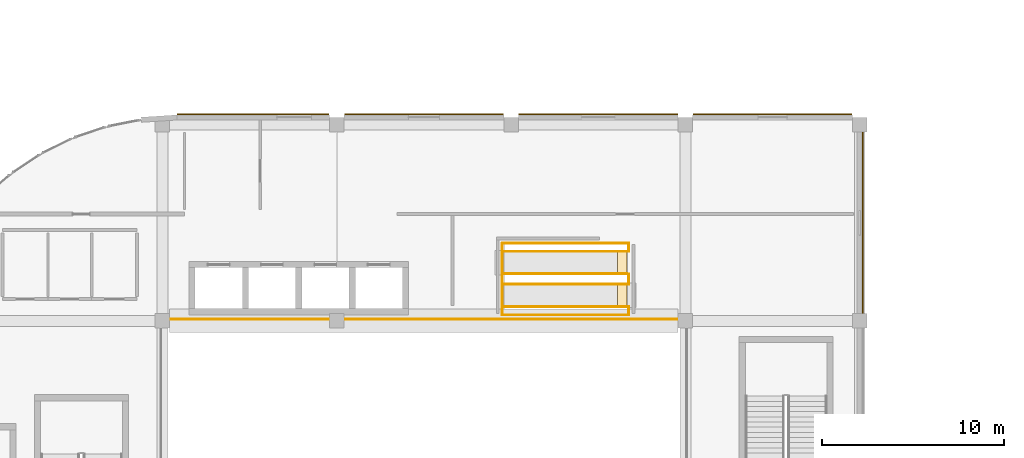
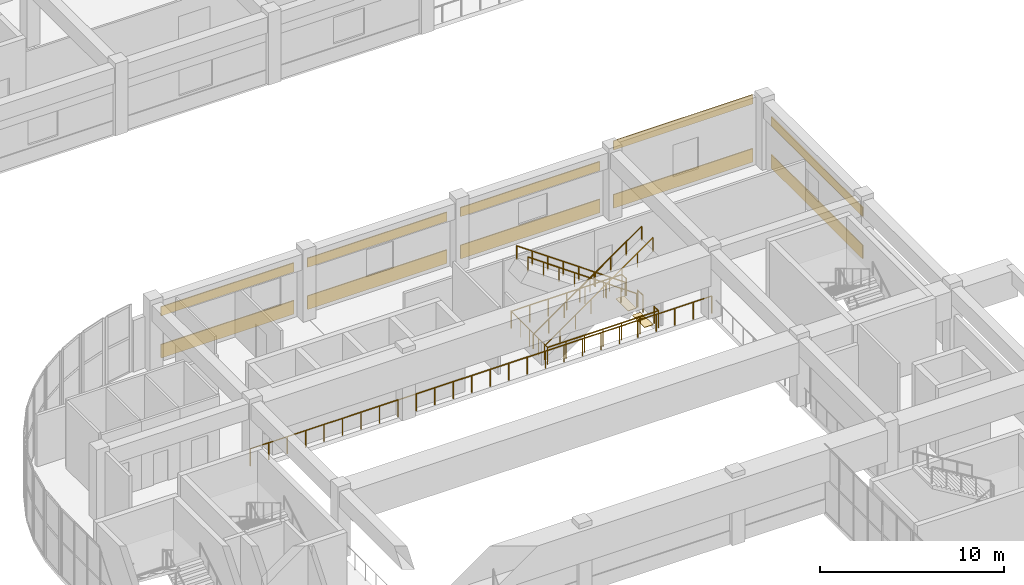
# One storey, part 30 of 33: 12 coverings, 11 railings.
"""IFC4 building model written with IfcOpenShell, lengths in metres."""

from ifc_helpers import new_model, si_unit, direction, frame, origin, origin_2d, place, context, subcontext, project, spatial, polyline, rectangle, circle, outline, extrude, material, layer, layer_set, type_object, element, save


model = new_model("IFC4")

# Units and contexts
model_context = context("Model", 3, precision=1e-05, world=origin(), true_north=direction((0.0, 1.0)))
body_context = subcontext(model_context, "Body", "Model", "MODEL_VIEW")
ifc_project = project(units=[si_unit("LENGTHUNIT", "METRE"), si_unit("AREAUNIT", "SQUARE_METRE"), si_unit("VOLUMEUNIT", "CUBIC_METRE"), si_unit("PLANEANGLEUNIT", "RADIAN"), si_unit("MASSUNIT", "GRAM", prefix="KILO")], contexts=[model_context])

# Site, building, storey
site_placement = place(None, origin())
site = spatial("IfcSite", under=ifc_project, at=site_placement, CompositionType="ELEMENT")
building_placement = place(site_placement, origin())
building = spatial("IfcBuilding", under=site, at=building_placement, Name="Cendralis Terraced Arcade", CompositionType="ELEMENT")
storey_placement = place(building_placement, frame((0.0, 0.0, 19.800048828125)))
storey = spatial("IfcBuildingStorey", under=building, at=storey_placement, Name="L04", CompositionType="ELEMENT", Elevation=19.800048828125)

# Coverings
ifc_material_1 = material(Name="Precast concrete f'c 40 MPa", Category="concrete")
ifc_layer_1 = layer(ifc_material_1, 0.06494140625, Name="COV-CLAD-GRC-65")
ifc_layer_set_1 = layer_set([ifc_layer_1], Name="Precast concrete f'c 40 MPa")
covering_type_1 = type_object("IfcCoveringType", Name="COV-CLAD-GRC-65", PredefinedType="CLADDING", material=ifc_layer_set_1)
covering_1_placement = place(storey_placement, frame((24.200927734375, 49.77001953125, 0.0), z_axis=(0.0, 0.0, 1.0), x_axis=(1.0, 0.0, 0.0)))
element("IfcCovering", 1, at=covering_1_placement, inside=storey, type_object=covering_type_1, Name="Banded Precast Stone Spandrel Cladding L04-455", PredefinedType="CLADDING", context=body_context, shape_type="SweptSolid", body=[
    extrude(rectangle(XDim=8.342041015625, YDim=0.06494140625, at=origin_2d()), origin(), (0.0, 0.0, 1.0), 0.89990234375),
])
covering_2_placement = place(storey_placement, frame((24.200927734375, 49.77001953125, 2.7998046875), z_axis=(0.0, 0.0, 1.0), x_axis=(1.0, 0.0, 0.0)))
element("IfcCovering", 2, at=covering_2_placement, inside=storey, type_object=covering_type_1, Name="Banded Precast Stone Lintel Cladding L04-456", PredefinedType="CLADDING", context=body_context, shape_type="SweptSolid", body=[
    extrude(rectangle(XDim=8.342041015625, YDim=0.06494140625, at=origin_2d()), origin(), (0.0, 0.0, 1.0), 0.60009765625),
])
covering_3_placement = place(storey_placement, frame((33.60009765625, 49.77001953125, 0.0), z_axis=(0.0, 0.0, 1.0), x_axis=(1.0, 0.0, 0.0)))
element("IfcCovering", 3, at=covering_3_placement, inside=storey, type_object=covering_type_1, Name="Banded Precast Stone Spandrel Cladding L04-457", PredefinedType="CLADDING", context=body_context, shape_type="SweptSolid", body=[
    extrude(rectangle(XDim=8.743896484375, YDim=0.06494140625, at=origin_2d()), origin(), (0.0, 0.0, 1.0), 0.89990234375),
])
covering_4_placement = place(storey_placement, frame((33.60009765625, 49.77001953125, 2.7998046875), z_axis=(0.0, 0.0, 1.0), x_axis=(1.0, 0.0, 0.0)))
element("IfcCovering", 4, at=covering_4_placement, inside=storey, type_object=covering_type_1, Name="Banded Precast Stone Lintel Cladding L04-458", PredefinedType="CLADDING", context=body_context, shape_type="SweptSolid", body=[
    extrude(rectangle(XDim=8.743896484375, YDim=0.06494140625, at=origin_2d()), origin(), (0.0, 0.0, 1.0), 0.60009765625),
])
covering_5_placement = place(storey_placement, frame((43.199951171875, 49.77001953125, 0.0), z_axis=(0.0, 0.0, 1.0), x_axis=(1.0, 0.0, 0.0)))
element("IfcCovering", 5, at=covering_5_placement, inside=storey, type_object=covering_type_1, Name="Banded Precast Stone Spandrel Cladding L04-459", PredefinedType="CLADDING", context=body_context, shape_type="SweptSolid", body=[
    extrude(rectangle(XDim=8.743896484375, YDim=0.06494140625, at=origin_2d()), origin(), (0.0, 0.0, 1.0), 0.89990234375),
])
covering_6_placement = place(storey_placement, frame((43.199951171875, 49.77001953125, 2.7998046875), z_axis=(0.0, 0.0, 1.0), x_axis=(1.0, 0.0, 0.0)))
element("IfcCovering", 6, at=covering_6_placement, inside=storey, type_object=covering_type_1, Name="Banded Precast Stone Lintel Cladding L04-460", PredefinedType="CLADDING", context=body_context, shape_type="SweptSolid", body=[
    extrude(rectangle(XDim=8.743896484375, YDim=0.06494140625, at=origin_2d()), origin(), (0.0, 0.0, 1.0), 0.60009765625),
])
covering_7_placement = place(storey_placement, frame((52.800048828125, 49.77001953125, 0.0), z_axis=(0.0, 0.0, 1.0), x_axis=(1.0, 0.0, 0.0)))
element("IfcCovering", 7, at=covering_7_placement, inside=storey, type_object=covering_type_1, Name="Banded Precast Stone Spandrel Cladding L04-461", PredefinedType="CLADDING", context=body_context, shape_type="SweptSolid", body=[
    extrude(rectangle(XDim=8.743896484375, YDim=0.06494140625, at=origin_2d()), origin(), (0.0, 0.0, 1.0), 0.89990234375),
])
covering_8_placement = place(storey_placement, frame((52.800048828125, 49.77001953125, 3.85986328125), z_axis=(0.0, 0.0, 1.0), x_axis=(1.0, 0.0, 0.0)))
element("IfcCovering", 8, at=covering_8_placement, inside=storey, type_object=covering_type_1, Name="Banded Precast Stone Lintel Cladding L04-462", PredefinedType="CLADDING", context=body_context, shape_type="SweptSolid", body=[
    extrude(rectangle(XDim=8.743896484375, YDim=0.06494140625, at=origin_2d()), origin(), (0.0, 0.0, 1.0), 0.60009765625),
])
covering_9_placement = place(storey_placement, frame((57.77001953125, 43.800048828125, 0.0), z_axis=(0.0, 0.0, 1.0), x_axis=(0.0, -1.0, 0.0)))
element("IfcCovering", 9, at=covering_9_placement, inside=storey, type_object=covering_type_1, Name="Banded Precast Stone Spandrel Cladding L04-463", PredefinedType="CLADDING", context=body_context, shape_type="SweptSolid", body=[
    extrude(rectangle(XDim=9.944091796875, YDim=0.06494140625, at=origin_2d()), origin(), (0.0, 0.0, 1.0), 0.89990234375),
])
covering_10_placement = place(storey_placement, frame((57.77001953125, 43.800048828125, 2.7998046875), z_axis=(0.0, 0.0, 1.0), x_axis=(0.0, -1.0, 0.0)))
element("IfcCovering", 10, at=covering_10_placement, inside=storey, type_object=covering_type_1, Name="Banded Precast Stone Lintel Cladding L04-464", PredefinedType="CLADDING", context=body_context, shape_type="SweptSolid", body=[
    extrude(rectangle(XDim=9.944091796875, YDim=0.06494140625, at=origin_2d()), origin(), (0.0, 0.0, 1.0), 0.60009765625),
])
ifc_material_2 = material(Name="Polished Bogota limestone terrazzo flooring", Category="masonry")
ifc_layer_2 = layer(ifc_material_2, 0.030029296875, Name="COV-FLR-TERZ-30")
ifc_layer_set_2 = layer_set([ifc_layer_2], Name="Polished Bogota limestone terrazzo flooring")
covering_type_2 = type_object("IfcCoveringType", Name="COV-FLR-TERZ-30", PredefinedType="FLOORING", material=ifc_layer_set_2)
covering_11_placement = place(storey_placement, frame((0.0, 0.0, -0.030029296875)))
element("IfcCovering", 11, at=covering_11_placement, inside=storey, type_object=covering_type_2, Name="Escalator Landing Comb-Plate Finish L04-07", PredefinedType="FLOORING", context=body_context, shape_type="SweptSolid", body=[
    extrude(outline(polyline([(44.25, 39.125), (44.77490234375, 39.125), (44.77490234375, 40.47509765625), (44.25, 40.47509765625), (44.25, 39.125)])), origin(), (0.0, 0.0, 1.0), 0.030029296875),
])
covering_12_placement = place(storey_placement, frame((0.0, 0.0, -0.030029296875)))
element("IfcCovering", 12, at=covering_12_placement, inside=storey, type_object=covering_type_2, Name="Escalator Landing Comb-Plate Finish L04-08", PredefinedType="FLOORING", context=body_context, shape_type="SweptSolid", body=[
    extrude(outline(polyline([(44.25, 40.925048828125), (44.77490234375, 40.925048828125), (44.77490234375, 42.27490234375), (44.25, 42.27490234375), (44.25, 40.925048828125)])), origin(), (0.0, 0.0, 1.0), 0.030029296875),
])

# Railings
ifc_material_3 = material(Name="Brushed stainless steel AISI 316", Category="steel")
railing_type_1 = type_object("IfcRailingType", Name="RL-ESC-HAND-950", PredefinedType="HANDRAIL", material=ifc_material_3)
for number, where, name in (
    (13, (38.0, 39.18505859375, 0.0), "Escalator Balustrade Handrail ESC-09-1"),
    (14, (38.0, 40.4150390625, 0.0), "Escalator Balustrade Handrail ESC-09-2"),
):
    element("IfcRailing", number, at=place(storey_placement, frame(where)), inside=storey, type_object=railing_type_1, Name=name, PredefinedType="HANDRAIL", context=body_context, shape_type="SweptSolid", body=[
        extrude(circle(Radius=0.02392578125, at=origin_2d()), frame((0.0, 0.0, 0.92578125), z_axis=(0.816967050385, 0.0, 0.576684349177), x_axis=(0.0, 1.0, 0.0)), (0.0, 0.0, 1.0), 8.323486328125),
        extrude(circle(Radius=0.02099609375, at=origin_2d()), origin(), (0.0, 0.0, 1.0), 0.90185546875),
        extrude(circle(Radius=0.02099609375, at=origin_2d()), frame((0.971435546875, 0.0, 0.685791015625)), (0.0, 0.0, 1.0), 0.90185546875),
        extrude(circle(Radius=0.02099609375, at=origin_2d()), frame((1.94287109375, 0.0, 1.371337890625)), (0.0, 0.0, 1.0), 0.90185546875),
        extrude(circle(Radius=0.02099609375, at=origin_2d()), frame((2.914306640625, 0.0, 2.05712890625)), (0.0, 0.0, 1.0), 0.90185546875),
        extrude(circle(Radius=0.02099609375, at=origin_2d()), frame((3.8857421875, 0.0, 2.742919921875)), (0.0, 0.0, 1.0), 0.90185546875),
        extrude(circle(Radius=0.02099609375, at=origin_2d()), frame((4.857177734375, 0.0, 3.4287109375)), (0.0, 0.0, 1.0), 0.90185546875),
        extrude(circle(Radius=0.02099609375, at=origin_2d()), frame((5.82861328125, 0.0, 4.1142578125)), (0.0, 0.0, 1.0), 0.90185546875),
        extrude(circle(Radius=0.02099609375, at=origin_2d()), frame((6.800048828125, 0.0, 4.800048828125)), (0.0, 0.0, 1.0), 0.90185546875),
    ])
for number, where, name in (
    (15, (44.800048828125, 40.985107421875, 0.0), "Escalator Balustrade Handrail ESC-10-1"),
    (16, (44.800048828125, 42.215087890625, 0.0), "Escalator Balustrade Handrail ESC-10-2"),
):
    element("IfcRailing", number, at=place(storey_placement, frame(where)), inside=storey, type_object=railing_type_1, Name=name, PredefinedType="HANDRAIL", context=body_context, shape_type="SweptSolid", body=[
        extrude(circle(Radius=0.02392578125, at=origin_2d()), frame((0.0, 0.0, 0.92578125), z_axis=(-0.816967050385, 0.0, 0.576684349177), x_axis=(0.0, -1.0, 0.0)), (0.0, 0.0, 1.0), 8.323486328125),
        extrude(circle(Radius=0.02099609375, at=origin_2d()), origin(), (0.0, 0.0, 1.0), 0.90185546875),
        extrude(circle(Radius=0.02099609375, at=origin_2d()), frame((-0.971435546875, 0.0, 0.685791015625)), (0.0, 0.0, 1.0), 0.90185546875),
        extrude(circle(Radius=0.02099609375, at=origin_2d()), frame((-1.94287109375, 0.0, 1.371337890625)), (0.0, 0.0, 1.0), 0.90185546875),
        extrude(circle(Radius=0.02099609375, at=origin_2d()), frame((-2.914306640625, 0.0, 2.05712890625)), (0.0, 0.0, 1.0), 0.90185546875),
        extrude(circle(Radius=0.02099609375, at=origin_2d()), frame((-3.8857421875, 0.0, 2.742919921875)), (0.0, 0.0, 1.0), 0.90185546875),
        extrude(circle(Radius=0.02099609375, at=origin_2d()), frame((-4.857177734375, 0.0, 3.4287109375)), (0.0, 0.0, 1.0), 0.90185546875),
        extrude(circle(Radius=0.02099609375, at=origin_2d()), frame((-5.82861328125, 0.0, 4.1142578125)), (0.0, 0.0, 1.0), 0.90185546875),
        extrude(circle(Radius=0.02099609375, at=origin_2d()), frame((-6.800048828125, 0.0, 4.800048828125)), (0.0, 0.0, 1.0), 0.90185546875),
    ])
railing_type_2 = type_object("IfcRailingType", Name="RL-VOID-BAL-1150", PredefinedType="BALUSTRADE", material=ifc_material_3)
railing_1_placement = place(storey_placement, frame((44.8798828125, 38.719970703125, 0.0)))
element("IfcRailing", 17, at=railing_1_placement, inside=storey, type_object=railing_type_2, Name="Escalator Well Deck-Edge Balustrade L04-019", PredefinedType="BALUSTRADE", context=body_context, shape_type="SweptSolid", body=[
    extrude(circle(Radius=0.02392578125, at=origin_2d()), frame((0.0, 0.0, 1.1259765625), z_axis=(-1.0, 0.0, 0.0), x_axis=(0.0, -1.0, 0.0)), (0.0, 0.0, 1.0), 6.9599609375),
    extrude(circle(Radius=0.02099609375, at=origin_2d()), origin(), (0.0, 0.0, 1.0), 1.101806640625),
    extrude(circle(Radius=0.02099609375, at=origin_2d()), frame((-1.159912109375, 0.0, 0.0)), (0.0, 0.0, 1.0), 1.101806640625),
    extrude(circle(Radius=0.02099609375, at=origin_2d()), frame((-2.320068359375, 0.0, 0.0)), (0.0, 0.0, 1.0), 1.101806640625),
    extrude(circle(Radius=0.02099609375, at=origin_2d()), frame((-3.47998046875, 0.0, 0.0)), (0.0, 0.0, 1.0), 1.101806640625),
    extrude(circle(Radius=0.02099609375, at=origin_2d()), frame((-4.639892578125, 0.0, 0.0)), (0.0, 0.0, 1.0), 1.101806640625),
    extrude(circle(Radius=0.02099609375, at=origin_2d()), frame((-5.800048828125, 0.0, 0.0)), (0.0, 0.0, 1.0), 1.101806640625),
    extrude(circle(Radius=0.02099609375, at=origin_2d()), frame((-6.9599609375, 0.0, 0.0)), (0.0, 0.0, 1.0), 1.101806640625),
])
railing_2_placement = place(storey_placement, frame((37.919921875, 38.719970703125, 0.0)))
element("IfcRailing", 18, at=railing_2_placement, inside=storey, type_object=railing_type_2, Name="Escalator Well Deck-Edge Balustrade L04-020", PredefinedType="BALUSTRADE", context=body_context, shape_type="SweptSolid", body=[
    extrude(circle(Radius=0.02392578125, at=origin_2d()), frame((0.0, 0.0, 1.1259765625), z_axis=(0.0, 1.0, 0.0), x_axis=(-1.0, 0.0, 0.0)), (0.0, 0.0, 1.0), 3.9599609375),
    extrude(circle(Radius=0.02099609375, at=origin_2d()), origin(), (0.0, 0.0, 1.0), 1.101806640625),
    extrude(circle(Radius=0.02099609375, at=origin_2d()), frame((0.0, 0.989990234375, 0.0)), (0.0, 0.0, 1.0), 1.101806640625),
    extrude(circle(Radius=0.02099609375, at=origin_2d()), frame((0.0, 1.97998046875, 0.0)), (0.0, 0.0, 1.0), 1.101806640625),
    extrude(circle(Radius=0.02099609375, at=origin_2d()), frame((0.0, 2.969970703125, 0.0)), (0.0, 0.0, 1.0), 1.101806640625),
    extrude(circle(Radius=0.02099609375, at=origin_2d()), frame((0.0, 3.9599609375, 0.0)), (0.0, 0.0, 1.0), 1.101806640625),
])
railing_3_placement = place(storey_placement, frame((37.919921875, 42.679931640625, 0.0)))
element("IfcRailing", 19, at=railing_3_placement, inside=storey, type_object=railing_type_2, Name="Escalator Well Deck-Edge Balustrade L04-021", PredefinedType="BALUSTRADE", context=body_context, shape_type="SweptSolid", body=[
    extrude(circle(Radius=0.02392578125, at=origin_2d()), frame((0.0, 0.0, 1.1259765625), z_axis=(1.0, 0.0, 0.0), x_axis=(0.0, 1.0, 0.0)), (0.0, 0.0, 1.0), 6.9599609375),
    extrude(circle(Radius=0.02099609375, at=origin_2d()), origin(), (0.0, 0.0, 1.0), 1.101806640625),
    extrude(circle(Radius=0.02099609375, at=origin_2d()), frame((1.159912109375, 0.0, 0.0)), (0.0, 0.0, 1.0), 1.101806640625),
    extrude(circle(Radius=0.02099609375, at=origin_2d()), frame((2.320068359375, 0.0, 0.0)), (0.0, 0.0, 1.0), 1.101806640625),
    extrude(circle(Radius=0.02099609375, at=origin_2d()), frame((3.47998046875, 0.0, 0.0)), (0.0, 0.0, 1.0), 1.101806640625),
    extrude(circle(Radius=0.02099609375, at=origin_2d()), frame((4.639892578125, 0.0, 0.0)), (0.0, 0.0, 1.0), 1.101806640625),
    extrude(circle(Radius=0.02099609375, at=origin_2d()), frame((5.800048828125, 0.0, 0.0)), (0.0, 0.0, 1.0), 1.101806640625),
    extrude(circle(Radius=0.02099609375, at=origin_2d()), frame((6.9599609375, 0.0, 0.0)), (0.0, 0.0, 1.0), 1.101806640625),
])
railing_4_placement = place(storey_placement, frame((44.8798828125, 38.719970703125, 0.0)))
element("IfcRailing", 20, at=railing_4_placement, inside=storey, type_object=railing_type_2, Name="Escalator Well Deck-Edge Balustrade L04-022", PredefinedType="BALUSTRADE", context=body_context, shape_type="SweptSolid", body=[
    extrude(circle(Radius=0.02392578125, at=origin_2d()), frame((0.0, 0.0, 1.1259765625), z_axis=(0.0, 1.0, 0.0), x_axis=(-1.0, 0.0, 0.0)), (0.0, 0.0, 1.0), 0.465087890625),
    extrude(circle(Radius=0.02099609375, at=origin_2d()), origin(), (0.0, 0.0, 1.0), 1.101806640625),
    extrude(circle(Radius=0.02099609375, at=origin_2d()), frame((0.0, 0.465087890625, 0.0)), (0.0, 0.0, 1.0), 1.101806640625),
])
railing_5_placement = place(storey_placement, frame((44.8798828125, 40.4150390625, 0.0)))
element("IfcRailing", 21, at=railing_5_placement, inside=storey, type_object=railing_type_2, Name="Escalator Well Deck-Edge Balustrade L04-023", PredefinedType="BALUSTRADE", context=body_context, shape_type="SweptSolid", body=[
    extrude(circle(Radius=0.02392578125, at=origin_2d()), frame((0.0, 0.0, 1.1259765625), z_axis=(0.0, 1.0, 0.0), x_axis=(-1.0, 0.0, 0.0)), (0.0, 0.0, 1.0), 0.570068359375),
    extrude(circle(Radius=0.02099609375, at=origin_2d()), origin(), (0.0, 0.0, 1.0), 1.101806640625),
    extrude(circle(Radius=0.02099609375, at=origin_2d()), frame((0.0, 0.570068359375, 0.0)), (0.0, 0.0, 1.0), 1.101806640625),
])
railing_6_placement = place(storey_placement, frame((44.8798828125, 42.215087890625, 0.0)))
element("IfcRailing", 22, at=railing_6_placement, inside=storey, type_object=railing_type_2, Name="Escalator Well Deck-Edge Balustrade L04-024", PredefinedType="BALUSTRADE", context=body_context, shape_type="SweptSolid", body=[
    extrude(circle(Radius=0.02392578125, at=origin_2d()), frame((0.0, 0.0, 1.1259765625), z_axis=(0.0, 1.0, 0.0), x_axis=(-1.0, 0.0, 0.0)), (0.0, 0.0, 1.0), 0.46484375),
    extrude(circle(Radius=0.02099609375, at=origin_2d()), origin(), (0.0, 0.0, 1.0), 1.101806640625),
    extrude(circle(Radius=0.02099609375, at=origin_2d()), frame((0.0, 0.46484375, 0.0)), (0.0, 0.0, 1.0), 1.101806640625),
])
railing_7_placement = place(storey_placement, frame((48.080078125, 38.47998046875, 0.0)))
element("IfcRailing", 23, at=railing_7_placement, inside=storey, type_object=railing_type_2, Name="Atrium and Arcade Gallery Balustrade L04-067", PredefinedType="BALUSTRADE", context=body_context, shape_type="SweptSolid", body=[
    extrude(circle(Radius=0.02392578125, at=origin_2d()), frame((0.0, 0.0, 1.1259765625), z_axis=(-1.0, 0.0, 0.0), x_axis=(0.0, -1.0, 0.0)), (0.0, 0.0, 1.0), 28.9599609375),
    extrude(circle(Radius=0.02099609375, at=origin_2d()), origin(), (0.0, 0.0, 1.0), 1.101806640625),
    extrude(circle(Radius=0.02099609375, at=origin_2d()), frame((-1.158447265625, 0.0, 0.0)), (0.0, 0.0, 1.0), 1.101806640625),
    extrude(circle(Radius=0.02099609375, at=origin_2d()), frame((-2.31689453125, 0.0, 0.0)), (0.0, 0.0, 1.0), 1.101806640625),
    extrude(circle(Radius=0.02099609375, at=origin_2d()), frame((-3.47509765625, 0.0, 0.0)), (0.0, 0.0, 1.0), 1.101806640625),
    extrude(circle(Radius=0.02099609375, at=origin_2d()), frame((-4.633544921875, 0.0, 0.0)), (0.0, 0.0, 1.0), 1.101806640625),
    extrude(circle(Radius=0.02099609375, at=origin_2d()), frame((-5.7919921875, 0.0, 0.0)), (0.0, 0.0, 1.0), 1.101806640625),
    extrude(circle(Radius=0.02099609375, at=origin_2d()), frame((-6.950439453125, 0.0, 0.0)), (0.0, 0.0, 1.0), 1.101806640625),
    extrude(circle(Radius=0.02099609375, at=origin_2d()), frame((-8.10888671875, 0.0, 0.0)), (0.0, 0.0, 1.0), 1.101806640625),
    extrude(circle(Radius=0.02099609375, at=origin_2d()), frame((-9.26708984375, 0.0, 0.0)), (0.0, 0.0, 1.0), 1.101806640625),
    extrude(circle(Radius=0.02099609375, at=origin_2d()), frame((-10.425537109375, 0.0, 0.0)), (0.0, 0.0, 1.0), 1.101806640625),
    extrude(circle(Radius=0.02099609375, at=origin_2d()), frame((-11.583984375, 0.0, 0.0)), (0.0, 0.0, 1.0), 1.101806640625),
    extrude(circle(Radius=0.02099609375, at=origin_2d()), frame((-12.742431640625, 0.0, 0.0)), (0.0, 0.0, 1.0), 1.101806640625),
    extrude(circle(Radius=0.02099609375, at=origin_2d()), frame((-13.90087890625, 0.0, 0.0)), (0.0, 0.0, 1.0), 1.101806640625),
    extrude(circle(Radius=0.02099609375, at=origin_2d()), frame((-15.05908203125, 0.0, 0.0)), (0.0, 0.0, 1.0), 1.101806640625),
    extrude(circle(Radius=0.02099609375, at=origin_2d()), frame((-16.217529296875, 0.0, 0.0)), (0.0, 0.0, 1.0), 1.101806640625),
    extrude(circle(Radius=0.02099609375, at=origin_2d()), frame((-17.3759765625, 0.0, 0.0)), (0.0, 0.0, 1.0), 1.101806640625),
    extrude(circle(Radius=0.02099609375, at=origin_2d()), frame((-18.534423828125, 0.0, 0.0)), (0.0, 0.0, 1.0), 1.101806640625),
    extrude(circle(Radius=0.02099609375, at=origin_2d()), frame((-19.69287109375, 0.0, 0.0)), (0.0, 0.0, 1.0), 1.101806640625),
    extrude(circle(Radius=0.02099609375, at=origin_2d()), frame((-20.85107421875, 0.0, 0.0)), (0.0, 0.0, 1.0), 1.101806640625),
    extrude(circle(Radius=0.02099609375, at=origin_2d()), frame((-22.009521484375, 0.0, 0.0)), (0.0, 0.0, 1.0), 1.101806640625),
    extrude(circle(Radius=0.02099609375, at=origin_2d()), frame((-23.16796875, 0.0, 0.0)), (0.0, 0.0, 1.0), 1.101806640625),
    extrude(circle(Radius=0.02099609375, at=origin_2d()), frame((-24.326416015625, 0.0, 0.0)), (0.0, 0.0, 1.0), 1.101806640625),
    extrude(circle(Radius=0.02099609375, at=origin_2d()), frame((-25.48486328125, 0.0, 0.0)), (0.0, 0.0, 1.0), 1.101806640625),
    extrude(circle(Radius=0.02099609375, at=origin_2d()), frame((-26.64306640625, 0.0, 0.0)), (0.0, 0.0, 1.0), 1.101806640625),
    extrude(circle(Radius=0.02099609375, at=origin_2d()), frame((-27.801513671875, 0.0, 0.0)), (0.0, 0.0, 1.0), 1.101806640625),
    extrude(circle(Radius=0.02099609375, at=origin_2d()), frame((-28.9599609375, 0.0, 0.0)), (0.0, 0.0, 1.0), 1.101806640625),
])

save(model, "model.ifc")
